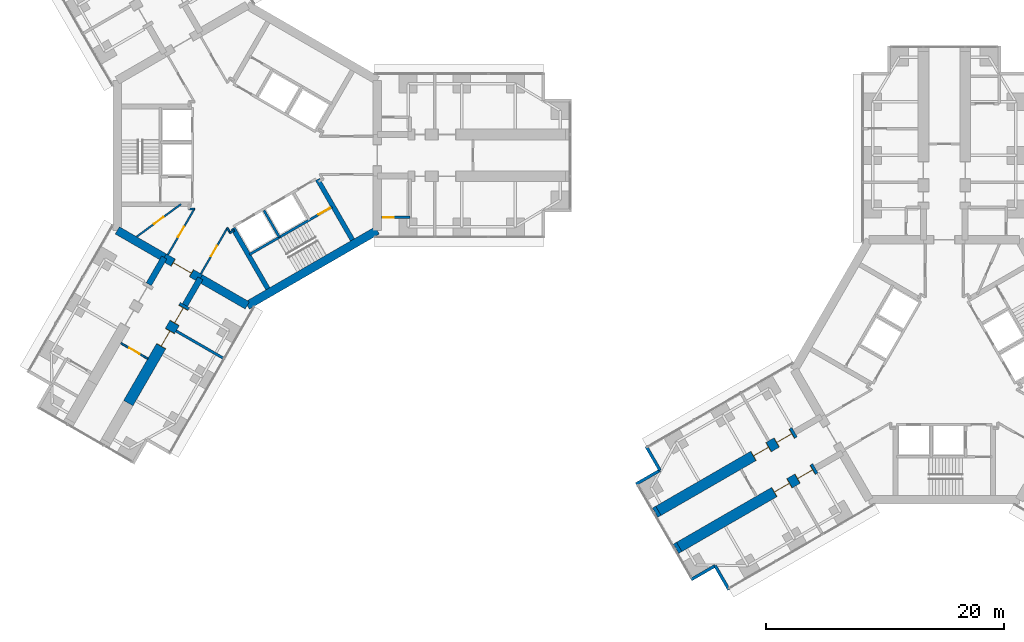
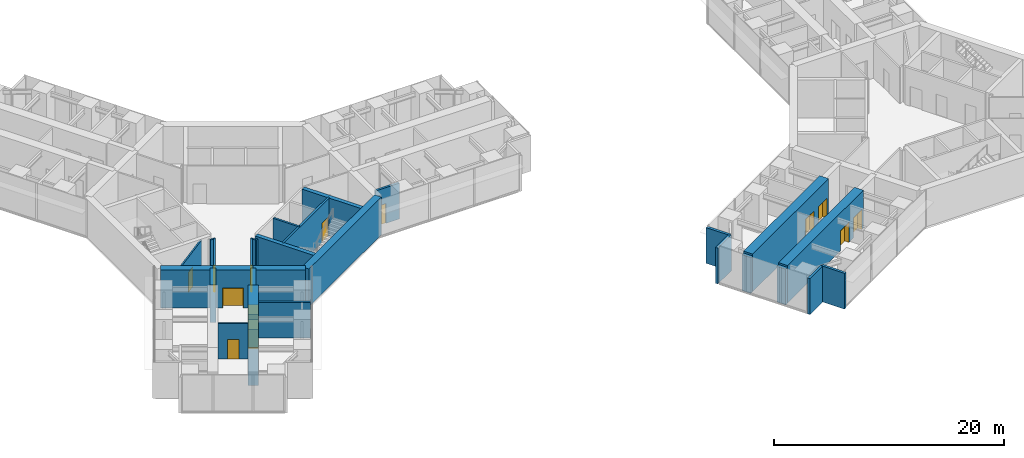
# One storey, part 16 of 23: 28 walls, 13 doors, 13 openings.
"""IFC4 building model written with IfcOpenShell, lengths in metres."""

from ifc_helpers import new_model, si_unit, direction, frame, frame_2d, origin, place, context, subcontext, project, spatial, rectangle, extrude, material, layer, layer_set, type_object, element, fill, save


model = new_model("IFC4")

# Units and contexts
model_context = context("Model", 3, precision=1e-05, world=origin(), true_north=direction((0.0, 1.0)))
body_context = subcontext(model_context, "Body", "Model", "MODEL_VIEW")
ifc_project = project(units=[si_unit("LENGTHUNIT", "METRE"), si_unit("AREAUNIT", "SQUARE_METRE"), si_unit("VOLUMEUNIT", "CUBIC_METRE"), si_unit("PLANEANGLEUNIT", "RADIAN"), si_unit("MASSUNIT", "GRAM", prefix="KILO")], contexts=[model_context])

# Site, building, storey
site_placement = place(None, origin())
site = spatial("IfcSite", under=ifc_project, at=site_placement, CompositionType="ELEMENT")
building_placement = place(site_placement, origin())
building = spatial("IfcBuilding", under=site, at=building_placement, Name="Upepo Twin Towers", CompositionType="ELEMENT")
storey_placement = place(building_placement, frame((0.0, 0.0, 28.5)))
storey = spatial("IfcBuildingStorey", under=building, at=storey_placement, Name="L06", CompositionType="ELEMENT", Elevation=28.5)

# Wall, opening, door
ifc_material_1 = material(Name="Concrete blockwork, plastered both faces", Category="masonry")
ifc_layer_1 = layer(ifc_material_1, 0.215087890625)
ifc_layer_set_1 = layer_set([ifc_layer_1], Name="Blockwork partition 215")
wall_type_1 = type_object("IfcWallType", Name="Blockwork partition 215", PredefinedType="PARTITIONING", material=ifc_layer_set_1)
wall_1_placement = place(storey_placement, frame((11.258056640625, -5.199951171875, 0.0), z_axis=(0.0, 0.0, 1.0), x_axis=(1.0, 0.0, 0.0)))
wall_1 = element("IfcWall", 1, at=wall_1_placement, inside=storey, type_object=wall_type_1, Name="T1 WC bay partition AR at 11.26", PredefinedType="PARTITIONING", context=body_context, shape_type="SweptSolid", body=[
    extrude(rectangle(XDim=2.39990234375, YDim=0.215087890625, at=frame_2d((1.199951171875, 0.0))), origin(), (0.0, 0.0, 1.0), 3.800048828125),
])
opening_1_placement = place(wall_1_placement, frame((0.14990234375, 0.0, 0.0)))
opening_1 = element("IfcOpeningElement", 2, at=opening_1_placement, cuts=wall_1, Name="Opening D14", PredefinedType="OPENING", context=body_context, shape_type="SweptSolid", body=[
    extrude(rectangle(XDim=0.89990234375, YDim=2.10009765625, at=frame_2d((0.449951171875, 1.050048828125))), frame((0.0, 0.117431640625, 0.0), z_axis=(0.0, -1.0, 0.0), x_axis=(1.0, 0.0, 0.0)), (0.0, 0.0, 1.0), 0.235107421875),
])
ifc_material_2 = material(Name="Timber doorset", Category="wood")
door_type_1 = type_object("IfcDoorType", Name="Office door 900 FD30", OperationType="SINGLE_SWING_LEFT", PredefinedType="DOOR", material=ifc_material_2)
door_1_placement = place(opening_1_placement, origin())
door_1 = element("IfcDoor", 3, at=door_1_placement, inside=storey, type_object=door_type_1, Name="T1 L06 WC bay inner room door", OperationType="SINGLE_SWING_LEFT", OverallHeight=2.10009765625, OverallWidth=0.89990234375, PredefinedType="DOOR", context=body_context, shape_type="SweptSolid", body=[
    extrude(rectangle(XDim=0.89990234375, YDim=2.10009765625, at=frame_2d((0.449951171875, 1.050048828125))), frame((0.0, 0.02490234375, 0.0), z_axis=(0.0, -1.0, 0.0), x_axis=(1.0, 0.0, 0.0)), (0.0, 0.0, 1.0), 0.050048828125),
])
fill(opening_1, door_1)

# Walls
wall_2_placement = place(storey_placement, frame((-5.9697265625, -14.739990234375, 0.0), z_axis=(0.0, 0.0, 1.0), x_axis=(0.866035472144, -0.499982560684, 0.0)))
element("IfcWall", 4, at=wall_2_placement, inside=storey, type_object=wall_type_1, Name="T1 partition CL at 15.75", PredefinedType="PARTITIONING", context=body_context, shape_type="SweptSolid", body=[
    extrude(rectangle(XDim=4.550048828125, YDim=0.215087890625, at=frame_2d((2.27490234375, 0.0))), origin(), (0.0, 0.0, 1.0), 3.800048828125),
])
ifc_material_3 = material(Name="Dense concrete blockwork", Category="masonry")
ifc_layer_2 = layer(ifc_material_3, 0.89990234375)
ifc_layer_set_2 = layer_set([ifc_layer_2], Name="Buttress closer 900, blockwork with fire-stopping to the curtain wall")
wall_type_2 = type_object("IfcWallType", Name="Buttress closer 900, blockwork with fire-stopping to the curtain wall", PredefinedType="PARTITIONING", material=ifc_layer_set_2)
for number, where, z_axis, x_axis, name in (
    (5, (36.252197265625, -32.865478515625, 0.0), (0.0, 0.0, 1.0), (-0.866054481515, -0.499949632511, 0.0), "T2 L06 wing B buttress closer L"),
    (6, (34.502197265625, -29.83447265625, 0.0), (0.0, 0.0, 1.0), (-0.866054481515, -0.499949632511, 0.0), "T2 L06 wing B buttress closer R"),
):
    element("IfcWall", number, at=place(storey_placement, frame(where, z_axis=z_axis, x_axis=x_axis)), inside=storey, type_object=wall_type_2, Name=name, PredefinedType="PARTITIONING", context=body_context, shape_type="SweptSolid", body=[
        extrude(rectangle(XDim=0.31005859375, YDim=0.89990234375, at=frame_2d((0.155029296875, 0.0))), origin(), (0.0, 0.0, 1.0), 3.800048828125),
    ])
ifc_material_4 = material(Name="Concrete C60/75", Category="concrete")
ifc_layer_3 = layer(ifc_material_4, 0.5)
ifc_layer_set_3 = layer_set([ifc_layer_3], Name="Concrete C60/75")
wall_type_3 = type_object("IfcWallType", Name="Buttress wall 500 RC", PredefinedType="SHEAR", material=ifc_layer_set_3)
for number, where, z_axis, x_axis, name in (
    (7, (-3.938720703125, -10.32177734375, 0.0), (0.0, 0.0, 1.0), (-0.499918158782, -0.866072649678, 0.0), "T1 wing C buttress wall L"),
    (8, (-6.9697265625, -8.57177734375, 0.0), (0.0, 0.0, 1.0), (-0.499988811324, -0.866031863473, 0.0), "T1 wing C buttress wall R"),
):
    element("IfcWall", number, at=place(storey_placement, frame(where, z_axis=z_axis, x_axis=x_axis)), inside=storey, type_object=wall_type_3, Name=name, PredefinedType="SHEAR", context=body_context, shape_type="SweptSolid", body=[
        extrude(rectangle(XDim=2.591796875, YDim=0.5, at=frame_2d((1.2958984375, 0.0))), origin(), (0.0, 0.0, 1.0), 4.0),
    ])

# Wall, openings, doors
ifc_material_5 = material(Name="Concrete C60/75", Category="concrete")
ifc_layer_4 = layer(ifc_material_5, 0.89990234375)
ifc_layer_set_4 = layer_set([ifc_layer_4], Name="Concrete C60/75")
wall_type_4 = type_object("IfcWallType", Name="Buttress wall 900 RC", PredefinedType="SHEAR", material=ifc_layer_set_4)
wall_3_placement = place(storey_placement, frame((-5.234375, -12.56640625, 0.0), z_axis=(0.0, 0.0, 1.0), x_axis=(-0.499997557548, -0.86602681393, 0.0)))
wall_3 = element("IfcWall", 9, at=wall_3_placement, inside=storey, type_object=wall_type_4, Name="T1 wing C buttress wall L part 2", PredefinedType="SHEAR", context=body_context, shape_type="SweptSolid", body=[
    extrude(rectangle(XDim=9.5, YDim=0.89990234375, at=frame_2d((4.75, 0.0))), origin(), (0.0, 0.0, 1.0), 4.0),
])
opening_2_placement = place(wall_3_placement, frame((0.25, 0.0, 0.0)))
opening_2 = element("IfcOpeningElement", 10, at=opening_2_placement, cuts=wall_3, Name="Opening D13", PredefinedType="OPENING", context=body_context, shape_type="SweptSolid", body=[
    extrude(rectangle(XDim=1.5, YDim=2.10009765625, at=frame_2d((0.75, 1.050048828125))), frame((0.0, 0.4599609375, 0.0), z_axis=(0.0, -1.0, 0.0), x_axis=(1.0, 0.0, 0.0)), (0.0, 0.0, 1.0), 0.919921875),
])
opening_3_placement = place(wall_3_placement, frame((2.5, 0.0, 0.0)))
opening_3 = element("IfcOpeningElement", 11, at=opening_3_placement, cuts=wall_3, Name="Opening D13", PredefinedType="OPENING", context=body_context, shape_type="SweptSolid", body=[
    extrude(rectangle(XDim=1.5, YDim=2.10009765625, at=frame_2d((0.75, 1.050048828125))), frame((0.0, 0.4599609375, 0.0), z_axis=(0.0, -1.0, 0.0), x_axis=(1.0, 0.0, 0.0)), (0.0, 0.0, 1.0), 0.919921875),
])
ifc_material_6 = material(Name="Timber doorset", Category="wood")
door_type_2 = type_object("IfcDoorType", Name="Double door 1500 FD30", OperationType="DOUBLE_DOOR_SINGLE_SWING", PredefinedType="DOOR", material=ifc_material_6)
door_2_placement = place(opening_2_placement, origin())
door_2 = element("IfcDoor", 12, at=door_2_placement, inside=storey, type_object=door_type_2, Name="T1 L06 laboratory prep room door", OperationType="DOUBLE_DOOR_SINGLE_SWING", OverallHeight=2.10009765625, OverallWidth=1.5, PredefinedType="DOOR", context=body_context, shape_type="SweptSolid", body=[
    extrude(rectangle(XDim=1.42, YDim=2.06009765625, at=frame_2d((0.75, 1.030029296875))), frame((0.0, 0.02490234375, 0.0), z_axis=(0.0, -1.0, 0.0), x_axis=(1.0, 0.0, 0.0)), (0.0, 0.0, 1.0), 0.050048828125),
    extrude(rectangle(XDim=0.04, YDim=2.10009765625, at=frame_2d((0.02001953125, 1.050048828125))), frame((0.0, 0.44970703125, 0.0), z_axis=(0.0, -1.0, 0.0), x_axis=(1.0, 0.0, 0.0)), (0.0, 0.0, 1.0), 0.8994140625),
    extrude(rectangle(XDim=0.04, YDim=2.10009765625, at=frame_2d((1.47998046875, 1.050048828125))), frame((0.0, 0.44970703125, 0.0), z_axis=(0.0, -1.0, 0.0), x_axis=(1.0, 0.0, 0.0)), (0.0, 0.0, 1.0), 0.8994140625),
    extrude(rectangle(XDim=1.42, YDim=0.04, at=frame_2d((0.75, 2.080078125))), frame((0.0, 0.44970703125, 0.0), z_axis=(0.0, -1.0, 0.0), x_axis=(1.0, 0.0, 0.0)), (0.0, 0.0, 1.0), 0.8994140625),
])
fill(opening_2, door_2)
door_3_placement = place(opening_3_placement, origin())
door_3 = element("IfcDoor", 13, at=door_3_placement, inside=storey, type_object=door_type_2, Name="T1 L06 teaching laboratory door", OperationType="DOUBLE_DOOR_SINGLE_SWING", OverallHeight=2.10009765625, OverallWidth=1.5, PredefinedType="DOOR", context=body_context, shape_type="SweptSolid", body=[
    extrude(rectangle(XDim=1.42, YDim=2.06009765625, at=frame_2d((0.75, 1.030029296875))), frame((0.0, 0.02490234375, 0.0), z_axis=(0.0, -1.0, 0.0), x_axis=(1.0, 0.0, 0.0)), (0.0, 0.0, 1.0), 0.050048828125),
    extrude(rectangle(XDim=0.04, YDim=2.10009765625, at=frame_2d((0.02001953125, 1.050048828125))), frame((0.0, 0.44970703125, 0.0), z_axis=(0.0, -1.0, 0.0), x_axis=(1.0, 0.0, 0.0)), (0.0, 0.0, 1.0), 0.8994140625),
    extrude(rectangle(XDim=0.04, YDim=2.10009765625, at=frame_2d((1.47998046875, 1.050048828125))), frame((0.0, 0.44970703125, 0.0), z_axis=(0.0, -1.0, 0.0), x_axis=(1.0, 0.0, 0.0)), (0.0, 0.0, 1.0), 0.8994140625),
    extrude(rectangle(XDim=1.42, YDim=0.04, at=frame_2d((0.75, 2.080078125))), frame((0.0, 0.44970703125, 0.0), z_axis=(0.0, -1.0, 0.0), x_axis=(1.0, 0.0, 0.0)), (0.0, 0.0, 1.0), 0.8994140625),
])
fill(opening_3, door_3)

wall_4_placement = place(storey_placement, frame((47.68359375, -26.265625, 0.0), z_axis=(0.0, 0.0, 1.0), x_axis=(-0.866027579429, -0.499996231654, 0.0)))
wall_4 = element("IfcWall", 14, at=wall_4_placement, inside=storey, type_object=wall_type_4, Name="T2 wing B buttress wall L part 2", PredefinedType="SHEAR", context=body_context, shape_type="SweptSolid", body=[
    extrude(rectangle(XDim=13.19970703125, YDim=0.89990234375, at=frame_2d((6.599853515625, 0.0))), origin(), (0.0, 0.0, 1.0), 4.0),
])
opening_4_placement = place(wall_4_placement, frame((0.25, 0.0, 0.0)))
opening_4 = element("IfcOpeningElement", 15, at=opening_4_placement, cuts=wall_4, Name="Opening D13", PredefinedType="OPENING", context=body_context, shape_type="SweptSolid", body=[
    extrude(rectangle(XDim=1.5, YDim=2.10009765625, at=frame_2d((0.75, 1.050048828125))), frame((0.0, 0.4599609375, 0.0), z_axis=(0.0, -1.0, 0.0), x_axis=(1.0, 0.0, 0.0)), (0.0, 0.0, 1.0), 0.919921875),
])
opening_5_placement = place(wall_4_placement, frame((2.5, 0.0, 0.0)))
opening_5 = element("IfcOpeningElement", 16, at=opening_5_placement, cuts=wall_4, Name="Opening D13", PredefinedType="OPENING", context=body_context, shape_type="SweptSolid", body=[
    extrude(rectangle(XDim=1.5, YDim=2.10009765625, at=frame_2d((0.75, 1.050048828125))), frame((0.0, 0.4599609375, 0.0), z_axis=(0.0, -1.0, 0.0), x_axis=(1.0, 0.0, 0.0)), (0.0, 0.0, 1.0), 0.919921875),
])
door_4_placement = place(opening_4_placement, origin())
door_4 = element("IfcDoor", 17, at=door_4_placement, inside=storey, type_object=door_type_2, Name="T2 L06 lecture room door", OperationType="DOUBLE_DOOR_SINGLE_SWING", OverallHeight=2.10009765625, OverallWidth=1.5, PredefinedType="DOOR", context=body_context, shape_type="SweptSolid", body=[
    extrude(rectangle(XDim=1.42, YDim=2.06009765625, at=frame_2d((0.75, 1.030029296875))), frame((0.0, 0.02490234375, 0.0), z_axis=(0.0, -1.0, 0.0), x_axis=(1.0, 0.0, 0.0)), (0.0, 0.0, 1.0), 0.050048828125),
    extrude(rectangle(XDim=0.04, YDim=2.10009765625, at=frame_2d((0.02001953125, 1.050048828125))), frame((0.0, 0.44970703125, 0.0), z_axis=(0.0, -1.0, 0.0), x_axis=(1.0, 0.0, 0.0)), (0.0, 0.0, 1.0), 0.8994140625),
    extrude(rectangle(XDim=0.04, YDim=2.10009765625, at=frame_2d((1.47998046875, 1.050048828125))), frame((0.0, 0.44970703125, 0.0), z_axis=(0.0, -1.0, 0.0), x_axis=(1.0, 0.0, 0.0)), (0.0, 0.0, 1.0), 0.8994140625),
    extrude(rectangle(XDim=1.42, YDim=0.04, at=frame_2d((0.75, 2.080078125))), frame((0.0, 0.44970703125, 0.0), z_axis=(0.0, -1.0, 0.0), x_axis=(1.0, 0.0, 0.0)), (0.0, 0.0, 1.0), 0.8994140625),
])
fill(opening_4, door_4)
door_5_placement = place(opening_5_placement, origin())
door_5 = element("IfcDoor", 18, at=door_5_placement, inside=storey, type_object=door_type_2, Name="T2 L06 lecture room door", OperationType="DOUBLE_DOOR_SINGLE_SWING", OverallHeight=2.10009765625, OverallWidth=1.5, PredefinedType="DOOR", context=body_context, shape_type="SweptSolid", body=[
    extrude(rectangle(XDim=1.42, YDim=2.06009765625, at=frame_2d((0.75, 1.030029296875))), frame((0.0, 0.02490234375, 0.0), z_axis=(0.0, -1.0, 0.0), x_axis=(1.0, 0.0, 0.0)), (0.0, 0.0, 1.0), 0.050048828125),
    extrude(rectangle(XDim=0.04, YDim=2.10009765625, at=frame_2d((0.02001953125, 1.050048828125))), frame((0.0, 0.44970703125, 0.0), z_axis=(0.0, -1.0, 0.0), x_axis=(1.0, 0.0, 0.0)), (0.0, 0.0, 1.0), 0.8994140625),
    extrude(rectangle(XDim=0.04, YDim=2.10009765625, at=frame_2d((1.47998046875, 1.050048828125))), frame((0.0, 0.44970703125, 0.0), z_axis=(0.0, -1.0, 0.0), x_axis=(1.0, 0.0, 0.0)), (0.0, 0.0, 1.0), 0.8994140625),
    extrude(rectangle(XDim=1.42, YDim=0.04, at=frame_2d((0.75, 2.080078125))), frame((0.0, 0.44970703125, 0.0), z_axis=(0.0, -1.0, 0.0), x_axis=(1.0, 0.0, 0.0)), (0.0, 0.0, 1.0), 0.8994140625),
])
fill(opening_5, door_5)

wall_5_placement = place(storey_placement, frame((45.93359375, -23.234375, 0.0), z_axis=(0.0, 0.0, 1.0), x_axis=(-0.866019570528, -0.500010103361, 0.0)))
wall_5 = element("IfcWall", 19, at=wall_5_placement, inside=storey, type_object=wall_type_4, Name="T2 wing B buttress wall R part 2", PredefinedType="SHEAR", context=body_context, shape_type="SweptSolid", body=[
    extrude(rectangle(XDim=13.199951171875, YDim=0.89990234375, at=frame_2d((6.60009765625, 0.0))), origin(), (0.0, 0.0, 1.0), 4.0),
])
opening_6_placement = place(wall_5_placement, frame((0.25, 0.0, 0.0)))
opening_6 = element("IfcOpeningElement", 20, at=opening_6_placement, cuts=wall_5, Name="Opening D13", PredefinedType="OPENING", context=body_context, shape_type="SweptSolid", body=[
    extrude(rectangle(XDim=1.5, YDim=2.10009765625, at=frame_2d((0.75, 1.050048828125))), frame((0.0, 0.4599609375, 0.0), z_axis=(0.0, -1.0, 0.0), x_axis=(1.0, 0.0, 0.0)), (0.0, 0.0, 1.0), 0.919921875),
])
opening_7_placement = place(wall_5_placement, frame((2.5, 0.0, 0.0)))
opening_7 = element("IfcOpeningElement", 21, at=opening_7_placement, cuts=wall_5, Name="Opening D13", PredefinedType="OPENING", context=body_context, shape_type="SweptSolid", body=[
    extrude(rectangle(XDim=1.5, YDim=2.10009765625, at=frame_2d((0.75, 1.050048828125))), frame((0.0, 0.4599609375, 0.0), z_axis=(0.0, -1.0, 0.0), x_axis=(1.0, 0.0, 0.0)), (0.0, 0.0, 1.0), 0.919921875),
])
door_6_placement = place(opening_6_placement, origin())
door_6 = element("IfcDoor", 22, at=door_6_placement, inside=storey, type_object=door_type_2, Name="T2 L06 tutorial room door", OperationType="DOUBLE_DOOR_SINGLE_SWING", OverallHeight=2.10009765625, OverallWidth=1.5, PredefinedType="DOOR", context=body_context, shape_type="SweptSolid", body=[
    extrude(rectangle(XDim=1.42, YDim=2.06009765625, at=frame_2d((0.75, 1.030029296875))), frame((0.0, 0.02490234375, 0.0), z_axis=(0.0, -1.0, 0.0), x_axis=(1.0, 0.0, 0.0)), (0.0, 0.0, 1.0), 0.050048828125),
    extrude(rectangle(XDim=0.04, YDim=2.10009765625, at=frame_2d((0.02001953125, 1.050048828125))), frame((0.0, 0.44970703125, 0.0), z_axis=(0.0, -1.0, 0.0), x_axis=(1.0, 0.0, 0.0)), (0.0, 0.0, 1.0), 0.8994140625),
    extrude(rectangle(XDim=0.04, YDim=2.10009765625, at=frame_2d((1.47998046875, 1.050048828125))), frame((0.0, 0.44970703125, 0.0), z_axis=(0.0, -1.0, 0.0), x_axis=(1.0, 0.0, 0.0)), (0.0, 0.0, 1.0), 0.8994140625),
    extrude(rectangle(XDim=1.42, YDim=0.04, at=frame_2d((0.75, 2.080078125))), frame((0.0, 0.44970703125, 0.0), z_axis=(0.0, -1.0, 0.0), x_axis=(1.0, 0.0, 0.0)), (0.0, 0.0, 1.0), 0.8994140625),
])
fill(opening_6, door_6)
door_7_placement = place(opening_7_placement, origin())
door_7 = element("IfcDoor", 23, at=door_7_placement, inside=storey, type_object=door_type_2, Name="T2 L06 lecture room door", OperationType="DOUBLE_DOOR_SINGLE_SWING", OverallHeight=2.10009765625, OverallWidth=1.5, PredefinedType="DOOR", context=body_context, shape_type="SweptSolid", body=[
    extrude(rectangle(XDim=1.42, YDim=2.06009765625, at=frame_2d((0.75, 1.030029296875))), frame((0.0, 0.02490234375, 0.0), z_axis=(0.0, -1.0, 0.0), x_axis=(1.0, 0.0, 0.0)), (0.0, 0.0, 1.0), 0.050048828125),
    extrude(rectangle(XDim=0.04, YDim=2.10009765625, at=frame_2d((0.02001953125, 1.050048828125))), frame((0.0, 0.44970703125, 0.0), z_axis=(0.0, -1.0, 0.0), x_axis=(1.0, 0.0, 0.0)), (0.0, 0.0, 1.0), 0.8994140625),
    extrude(rectangle(XDim=0.04, YDim=2.10009765625, at=frame_2d((1.47998046875, 1.050048828125))), frame((0.0, 0.44970703125, 0.0), z_axis=(0.0, -1.0, 0.0), x_axis=(1.0, 0.0, 0.0)), (0.0, 0.0, 1.0), 0.8994140625),
    extrude(rectangle(XDim=1.42, YDim=0.04, at=frame_2d((0.75, 2.080078125))), frame((0.0, 0.44970703125, 0.0), z_axis=(0.0, -1.0, 0.0), x_axis=(1.0, 0.0, 0.0)), (0.0, 0.0, 1.0), 0.8994140625),
])
fill(opening_7, door_7)

# Wall
ifc_material_7 = material(Name="Concrete C60/75", Category="concrete")
ifc_layer_5 = layer(ifc_material_7, 0.699951171875)
ifc_layer_set_5 = layer_set([ifc_layer_5], Name="Concrete C60/75")
wall_type_5 = type_object("IfcWallType", Name="Core wall 700 RC", PredefinedType="SHEAR", material=ifc_layer_set_5)
wall_6_placement = place(storey_placement, frame((-10.908447265625, -6.2978515625, 0.0), z_axis=(0.0, 0.0, 1.0), x_axis=(0.866034513004, -0.499984222037, 0.0)))
element("IfcWall", 24, at=wall_6_placement, inside=storey, type_object=wall_type_5, Name="T1 core wall 240 R", PredefinedType="SHEAR", context=body_context, shape_type="SweptSolid", body=[
    extrude(rectangle(XDim=4.548095703125, YDim=0.699951171875, at=frame_2d((2.27392578125, 0.0))), origin(), (0.0, 0.0, 1.0), 4.0),
])

# Wall, opening, door
wall_7_placement = place(storey_placement, frame((-6.9697265625, -8.57177734375, 0.0), z_axis=(0.0, 0.0, 1.0), x_axis=(0.866019471182, -0.500010275428, 0.0)))
wall_7 = element("IfcWall", 25, at=wall_7_placement, inside=storey, type_object=wall_type_5, Name="T1 core wall 240", PredefinedType="SHEAR", context=body_context, shape_type="SweptSolid", body=[
    extrude(rectangle(XDim=3.5, YDim=0.699951171875, at=frame_2d((1.75, 0.0))), origin(), (0.0, 0.0, 1.0), 4.0),
])
opening_8_placement = place(wall_7_placement, frame((0.85009765625, 0.0, 0.0)))
opening_8 = element("IfcOpeningElement", 26, at=opening_8_placement, cuts=wall_7, Name="Opening D2", PredefinedType="OPENING", context=body_context, shape_type="SweptSolid", body=[
    extrude(rectangle(XDim=1.800048828125, YDim=2.10009765625, at=frame_2d((0.89990234375, 1.050048828125))), frame((0.0, 0.35986328125, 0.0), z_axis=(0.0, -1.0, 0.0), x_axis=(1.0, 0.0, 0.0)), (0.0, 0.0, 1.0), 0.719970703125),
])
ifc_material_8 = material(Name="Timber doorset", Category="wood")
door_type_3 = type_object("IfcDoorType", Name="Corridor double door 1800 FD60", OperationType="DOUBLE_DOOR_DOUBLE_SWING", PredefinedType="DOOR", material=ifc_material_8)
door_8_placement = place(opening_8_placement, origin())
door_8 = element("IfcDoor", 27, at=door_8_placement, inside=storey, type_object=door_type_3, Name="T1 L06 wing C corridor door", OperationType="DOUBLE_DOOR_DOUBLE_SWING", OverallHeight=2.10009765625, OverallWidth=1.800048828125, PredefinedType="DOOR", context=body_context, shape_type="SweptSolid", body=[
    extrude(rectangle(XDim=1.720048828125, YDim=2.06009765625, at=frame_2d((0.89990234375, 1.030029296875))), frame((0.0, 0.02490234375, 0.0), z_axis=(0.0, -1.0, 0.0), x_axis=(1.0, 0.0, 0.0)), (0.0, 0.0, 1.0), 0.050048828125),
    extrude(rectangle(XDim=0.04, YDim=2.10009765625, at=frame_2d((0.02001953125, 1.050048828125))), frame((0.0, 0.349609375, 0.0), z_axis=(0.0, -1.0, 0.0), x_axis=(1.0, 0.0, 0.0)), (0.0, 0.0, 1.0), 0.699462890625),
    extrude(rectangle(XDim=0.04, YDim=2.10009765625, at=frame_2d((1.780029296875, 1.050048828125))), frame((0.0, 0.349609375, 0.0), z_axis=(0.0, -1.0, 0.0), x_axis=(1.0, 0.0, 0.0)), (0.0, 0.0, 1.0), 0.699462890625),
    extrude(rectangle(XDim=1.720048828125, YDim=0.04, at=frame_2d((0.89990234375, 2.080078125))), frame((0.0, 0.349609375, 0.0), z_axis=(0.0, -1.0, 0.0), x_axis=(1.0, 0.0, 0.0)), (0.0, 0.0, 1.0), 0.699462890625),
])
fill(opening_8, door_8)

# Walls
wall_8_placement = place(storey_placement, frame((-3.938720703125, -10.32177734375, 0.0), z_axis=(0.0, 0.0, 1.0), x_axis=(0.866011268655, -0.500024481964, 0.0)))
element("IfcWall", 28, at=wall_8_placement, inside=storey, type_object=wall_type_5, Name="T1 core wall 240 L", PredefinedType="SHEAR", context=body_context, shape_type="SweptSolid", body=[
    extrude(rectangle(XDim=4.548095703125, YDim=0.699951171875, at=frame_2d((2.27392578125, 0.0))), origin(), (0.0, 0.0, 1.0), 4.0),
])
wall_9_placement = place(storey_placement, frame((0.0, -12.595947265625, 0.0), z_axis=(0.0, 0.0, 1.0), x_axis=(0.866021940709, 0.500005998175, 0.0)))
element("IfcWall", 29, at=wall_9_placement, inside=storey, type_object=wall_type_5, Name="T1 core wall 300", PredefinedType="SHEAR", context=body_context, shape_type="SweptSolid", body=[
    extrude(rectangle(XDim=12.595947265625, YDim=0.699951171875, at=frame_2d((6.2978515625, 0.0))), origin(), (0.0, 0.0, 1.0), 4.0),
])
ifc_material_9 = material(Name="Blockwork with anodised aluminium cladding", Category="masonry")
ifc_layer_6 = layer(ifc_material_9, 0.25)
ifc_layer_set_6 = layer_set([ifc_layer_6], Name="Notch cladding wall 250, pale metal")
wall_type_6 = type_object("IfcWallType", Name="Notch cladding wall 250, pale metal", PredefinedType="STANDARD", material=ifc_layer_set_6)
for number, where, z_axis, x_axis, name in (
    (30, (40.4326171875, -36.456298828125, 0.0), (0.0, 0.0, 1.0), (-0.500046648681, 0.865998469481, 0.0), "T2 L06 wing B notch wall L1"),
    (31, (39.27001953125, -34.44287109375, 0.0), (0.0, 0.0, 1.0), (-0.865998469481, -0.500046648681, 0.0), "T2 L06 wing B notch wall L2"),
    (32, (33.482666015625, -24.418701171875, 0.0), (0.0, 0.0, 1.0), (0.499967891604, -0.866043940782, 0.0), "T2 L06 wing B notch wall R1"),
    (33, (34.64501953125, -26.43212890625, 0.0), (0.0, 0.0, 1.0), (-0.865998469481, -0.500046648681, 0.0), "T2 L06 wing B notch wall R2"),
):
    element("IfcWall", number, at=place(storey_placement, frame(where, z_axis=z_axis, x_axis=x_axis)), inside=storey, type_object=wall_type_6, Name=name, PredefinedType="STANDARD", context=body_context, shape_type="SweptSolid", body=[
        extrude(rectangle(XDim=2.324951171875, YDim=0.25, at=frame_2d((1.16259765625, 0.0))), origin(), (0.0, 0.0, 1.0), 3.800048828125),
    ])
ifc_material_10 = material(Name="Concrete C40/50", Category="concrete")
ifc_layer_7 = layer(ifc_material_10, 0.199951171875)
ifc_layer_set_7 = layer_set([ifc_layer_7], Name="Concrete C40/50")
wall_type_7 = type_object("IfcWallType", Name="Shaft wall 200 RC", PredefinedType="SHEAR", material=ifc_layer_set_7)
wall_10_placement = place(storey_placement, frame((1.3974609375, -4.620361328125, 0.0), z_axis=(0.0, 0.0, 1.0), x_axis=(0.499936506574, -0.866062058628, 0.0)))
element("IfcWall", 34, at=wall_10_placement, inside=storey, type_object=wall_type_7, Name="T1 core W300 shaft divider", PredefinedType="SHEAR", context=body_context, shape_type="SweptSolid", body=[
    extrude(rectangle(XDim=2.599853515625, YDim=0.199951171875, at=frame_2d((1.2998046875, 0.0))), origin(), (0.0, 0.0, 1.0), 4.0),
])

# Wall, opening, door
wall_11_placement = place(storey_placement, frame((0.185791015625, -8.322021484375, 0.0), z_axis=(0.0, 0.0, 1.0), x_axis=(0.866026010844, 0.49999894854, 0.0)))
wall_11 = element("IfcWall", 35, at=wall_11_placement, inside=storey, type_object=wall_type_7, Name="T1 core W300 stair wall", PredefinedType="SHEAR", context=body_context, shape_type="SweptSolid", body=[
    extrude(rectangle(XDim=8.0, YDim=0.199951171875, at=frame_2d((4.0, 0.0))), origin(), (0.0, 0.0, 1.0), 4.0),
])
opening_9_placement = place(wall_11_placement, frame((6.699951171875, 0.0, 0.0)))
opening_9 = element("IfcOpeningElement", 36, at=opening_9_placement, cuts=wall_11, Name="Opening D3", PredefinedType="OPENING", context=body_context, shape_type="SweptSolid", body=[
    extrude(rectangle(XDim=1.10009765625, YDim=2.10009765625, at=frame_2d((0.550048828125, 1.050048828125))), frame((0.0, 0.10986328125, 0.0), z_axis=(0.0, -1.0, 0.0), x_axis=(1.0, 0.0, 0.0)), (0.0, 0.0, 1.0), 0.219970703125),
])
ifc_material_11 = material(Name="Timber doorset", Category="wood")
door_type_4 = type_object("IfcDoorType", Name="Stair door 1100 FD60", OperationType="SINGLE_SWING_LEFT", PredefinedType="DOOR", material=ifc_material_11)
door_9_placement = place(opening_9_placement, origin())
door_9 = element("IfcDoor", 37, at=door_9_placement, inside=storey, type_object=door_type_4, Name="T1 L06 stair door", OperationType="SINGLE_SWING_RIGHT", OverallHeight=2.10009765625, OverallWidth=1.10009765625, PredefinedType="DOOR", context=body_context, shape_type="SweptSolid", body=[
    extrude(rectangle(XDim=1.10009765625, YDim=2.10009765625, at=frame_2d((0.550048828125, 1.050048828125))), frame((0.0, 0.02490234375, 0.0), z_axis=(0.0, -1.0, 0.0), x_axis=(1.0, 0.0, 0.0)), (0.0, 0.0, 1.0), 0.050048828125),
])
fill(opening_9, door_9)

# Walls
ifc_material_12 = material(Name="Concrete C40/50", Category="concrete")
ifc_layer_8 = layer(ifc_material_12, 0.39990234375)
ifc_layer_set_8 = layer_set([ifc_layer_8], Name="Concrete C40/50")
wall_type_8 = type_object("IfcWallType", Name="Shaft wall 400 RC", PredefinedType="SHEAR", material=ifc_layer_set_8)
for number, where, z_axis, x_axis, name in (
    (38, (5.900634765625, -2.020263671875, 0.0), (0.0, 0.0, 1.0), (0.500002627198, -0.866023886965, 0.0), "T1 core W300 side wall N"),
    (39, (-1.20068359375, -6.120361328125, 0.0), (0.0, 0.0, 1.0), (0.500002627198, -0.866023886965, 0.0), "T1 core W300 side wall S"),
):
    element("IfcWall", number, at=place(storey_placement, frame(where, z_axis=z_axis, x_axis=x_axis)), inside=storey, type_object=wall_type_8, Name=name, PredefinedType="SHEAR", context=body_context, shape_type="SweptSolid", body=[
        extrude(rectangle(XDim=5.8583984375, YDim=0.39990234375, at=frame_2d((2.92919921875, 0.0))), origin(), (0.0, 0.0, 1.0), 4.0),
    ])
ifc_material_13 = material(Name="Gypsum board on steel studs", Category="steel")
ifc_layer_9 = layer(ifc_material_13, 0.14990234375)
ifc_layer_set_9 = layer_set([ifc_layer_9], Name="Teaching partition 150 acoustic")
wall_type_9 = type_object("IfcWallType", Name="Teaching partition 150 acoustic", PredefinedType="PARTITIONING", material=ifc_layer_set_9)
wall_12_placement = place(storey_placement, frame((-1.092041015625, -6.28857421875, 0.0), z_axis=(0.0, 0.0, 1.0), x_axis=(-0.866138304741, -0.499804398801, 0.0)))
element("IfcWall", 40, at=wall_12_placement, inside=storey, type_object=wall_type_9, Name="T1 core room partition 2", PredefinedType="PARTITIONING", context=body_context, shape_type="SweptSolid", body=[
    extrude(rectangle(XDim=0.429931640625, YDim=0.14990234375, at=frame_2d((0.21484375, 0.0))), origin(), (0.0, 0.0, 1.0), 3.800048828125),
])
wall_13_placement = place(storey_placement, frame((-1.43701171875, -6.5107421875, 0.0), z_axis=(0.0, 0.0, 1.0), x_axis=(-0.50033519877, 0.865831790172, 0.0)))
element("IfcWall", 41, at=wall_13_placement, inside=storey, type_object=wall_type_9, Name="T1 core room partition 3", PredefinedType="PARTITIONING", context=body_context, shape_type="SweptSolid", body=[
    extrude(rectangle(XDim=0.494384765625, YDim=0.14990234375, at=frame_2d((0.2470703125, 0.0))), origin(), (0.0, 0.0, 1.0), 3.800048828125),
])

# Wall, opening, door
wall_14_placement = place(storey_placement, frame((-1.664306640625, -6.082763671875, 0.0), z_axis=(0.0, 0.0, 1.0), x_axis=(-0.499999927604, -0.866025445582, 0.0)))
wall_14 = element("IfcWall", 42, at=wall_14_placement, inside=storey, type_object=wall_type_9, Name="T1 core room partition 4", PredefinedType="PARTITIONING", context=body_context, shape_type="SweptSolid", body=[
    extrude(rectangle(XDim=4.46826171875, YDim=0.14990234375, at=frame_2d((2.234130859375, 0.0))), origin(), (0.0, 0.0, 1.0), 3.800048828125),
])
opening_10_placement = place(wall_14_placement, frame((1.744384765625, 0.0, 0.0)))
opening_10 = element("IfcOpeningElement", 43, at=opening_10_placement, cuts=wall_14, Name="Opening D1", PredefinedType="OPENING", context=body_context, shape_type="SweptSolid", body=[
    extrude(rectangle(XDim=1.0, YDim=2.10009765625, at=frame_2d((0.5, 1.050048828125))), frame((0.0, 0.0849609375, 0.0), z_axis=(0.0, -1.0, 0.0), x_axis=(1.0, 0.0, 0.0)), (0.0, 0.0, 1.0), 0.169921875),
])
ifc_material_14 = material(Name="Timber doorset", Category="wood")
door_type_5 = type_object("IfcDoorType", Name="Room door 1000 FD30", OperationType="SINGLE_SWING_LEFT", PredefinedType="DOOR", material=ifc_material_14)
door_10_placement = place(opening_10_placement, origin())
door_10 = element("IfcDoor", 44, at=door_10_placement, inside=storey, type_object=door_type_5, Name="T1 L06 core room door K3", OperationType="SINGLE_SWING_RIGHT", OverallHeight=2.10009765625, OverallWidth=1.0, PredefinedType="DOOR", context=body_context, shape_type="SweptSolid", body=[
    extrude(rectangle(XDim=1.0, YDim=2.10009765625, at=frame_2d((0.5, 1.050048828125))), frame((0.0, 0.02490234375, 0.0), z_axis=(0.0, -1.0, 0.0), x_axis=(1.0, 0.0, 0.0)), (0.0, 0.0, 1.0), 0.050048828125),
])
fill(opening_10, door_10)

wall_15_placement = place(storey_placement, frame((-6.669921875, -8.3525390625, 0.0), z_axis=(0.0, 0.0, 1.0), x_axis=(0.500017246033, 0.866015446554, 0.0)))
wall_15 = element("IfcWall", 45, at=wall_15_placement, inside=storey, type_object=wall_type_9, Name="T1 core room partition 5", PredefinedType="PARTITIONING", context=body_context, shape_type="SweptSolid", body=[
    extrude(rectangle(XDim=4.468505859375, YDim=0.14990234375, at=frame_2d((2.234375, 0.0))), origin(), (0.0, 0.0, 1.0), 3.800048828125),
])
opening_11_placement = place(wall_15_placement, frame((1.72412109375, 0.0, 0.0)))
opening_11 = element("IfcOpeningElement", 46, at=opening_11_placement, cuts=wall_15, Name="Opening D1", PredefinedType="OPENING", context=body_context, shape_type="SweptSolid", body=[
    extrude(rectangle(XDim=1.0, YDim=2.10009765625, at=frame_2d((0.5, 1.050048828125))), frame((0.0, 0.0849609375, 0.0), z_axis=(0.0, -1.0, 0.0), x_axis=(1.0, 0.0, 0.0)), (0.0, 0.0, 1.0), 0.169921875),
])
door_11_placement = place(opening_11_placement, origin())
door_11 = element("IfcDoor", 47, at=door_11_placement, inside=storey, type_object=door_type_5, Name="T1 L06 core room door K2", OperationType="SINGLE_SWING_LEFT", OverallHeight=2.10009765625, OverallWidth=1.0, PredefinedType="DOOR", context=body_context, shape_type="SweptSolid", body=[
    extrude(rectangle(XDim=1.0, YDim=2.10009765625, at=frame_2d((0.5, 1.050048828125))), frame((0.0, 0.02490234375, 0.0), z_axis=(0.0, -1.0, 0.0), x_axis=(1.0, 0.0, 0.0)), (0.0, 0.0, 1.0), 0.050048828125),
])
fill(opening_11, door_11)

# Wall
wall_16_placement = place(storey_placement, frame((-4.425537109375, -4.5, 0.0), z_axis=(0.0, 0.0, 1.0), x_axis=(-1.0, 0.0, 0.0)))
element("IfcWall", 48, at=wall_16_placement, inside=storey, type_object=wall_type_9, Name="T1 core room partition 6", PredefinedType="PARTITIONING", context=body_context, shape_type="SweptSolid", body=[
    extrude(rectangle(XDim=0.494384765625, YDim=0.14990234375, at=frame_2d((0.2470703125, 0.0))), origin(), (0.0, 0.0, 1.0), 3.800048828125),
])

# Wall, opening, door
wall_17_placement = place(storey_placement, frame((-5.57373046875, -4.10009765625, 0.0), z_axis=(0.0, 0.0, 1.0), x_axis=(-0.805553580125, -0.592522935884, 0.0)))
wall_17 = element("IfcWall", 49, at=wall_17_placement, inside=storey, type_object=wall_type_9, Name="T1 core room partition 19", PredefinedType="PARTITIONING", context=body_context, shape_type="SweptSolid", body=[
    extrude(rectangle(XDim=4.608154296875, YDim=0.14990234375, at=frame_2d((2.30419921875, 0.0))), origin(), (0.0, 0.0, 1.0), 3.800048828125),
])
opening_12_placement = place(wall_17_placement, frame((1.80419921875, 0.0, 0.0)))
opening_12 = element("IfcOpeningElement", 50, at=opening_12_placement, cuts=wall_17, Name="Opening D1", PredefinedType="OPENING", context=body_context, shape_type="SweptSolid", body=[
    extrude(rectangle(XDim=1.0, YDim=2.10009765625, at=frame_2d((0.5, 1.050048828125))), frame((0.0, 0.0849609375, 0.0), z_axis=(0.0, -1.0, 0.0), x_axis=(1.0, 0.0, 0.0)), (0.0, 0.0, 1.0), 0.169921875),
])
door_12_placement = place(opening_12_placement, origin())
door_12 = element("IfcDoor", 51, at=door_12_placement, inside=storey, type_object=door_type_5, Name="T1 L06 core room door K1", OperationType="SINGLE_SWING_LEFT", OverallHeight=2.10009765625, OverallWidth=1.0, PredefinedType="DOOR", context=body_context, shape_type="SweptSolid", body=[
    extrude(rectangle(XDim=1.0, YDim=2.10009765625, at=frame_2d((0.5, 1.050048828125))), frame((0.0, 0.02490234375, 0.0), z_axis=(0.0, -1.0, 0.0), x_axis=(1.0, 0.0, 0.0)), (0.0, 0.0, 1.0), 0.050048828125),
])
fill(opening_12, door_12)

wall_18_placement = place(storey_placement, frame((-10.600830078125, -15.76123046875, 0.0), z_axis=(0.0, 0.0, 1.0), x_axis=(0.866021400173, -0.500006934395, 0.0)))
wall_18 = element("IfcWall", 52, at=wall_18_placement, inside=storey, type_object=wall_type_9, Name="T1 corridor end partition C at 18.95", PredefinedType="PARTITIONING", context=body_context, shape_type="SweptSolid", body=[
    extrude(rectangle(XDim=2.60009765625, YDim=0.14990234375, at=frame_2d((1.300048828125, 0.0))), origin(), (0.0, 0.0, 1.0), 3.800048828125),
])
opening_13_placement = place(wall_18_placement, frame((0.800048828125, 0.0, 0.0)))
opening_13 = element("IfcOpeningElement", 53, at=opening_13_placement, cuts=wall_18, Name="Opening D1", PredefinedType="OPENING", context=body_context, shape_type="SweptSolid", body=[
    extrude(rectangle(XDim=1.0, YDim=2.10009765625, at=frame_2d((0.5, 1.050048828125))), frame((0.0, 0.0849609375, 0.0), z_axis=(0.0, -1.0, 0.0), x_axis=(1.0, 0.0, 0.0)), (0.0, 0.0, 1.0), 0.169921875),
])
door_13_placement = place(opening_13_placement, origin())
door_13 = element("IfcDoor", 54, at=door_13_placement, inside=storey, type_object=door_type_5, Name="T1 L06 breakout study room door", OperationType="SINGLE_SWING_LEFT", OverallHeight=2.10009765625, OverallWidth=1.0, PredefinedType="DOOR", context=body_context, shape_type="SweptSolid", body=[
    extrude(rectangle(XDim=1.0, YDim=2.10009765625, at=frame_2d((0.5, 1.050048828125))), frame((0.0, 0.02490234375, 0.0), z_axis=(0.0, -1.0, 0.0), x_axis=(1.0, 0.0, 0.0)), (0.0, 0.0, 1.0), 0.050048828125),
])
fill(opening_13, door_13)

save(model, "model.ifc")
